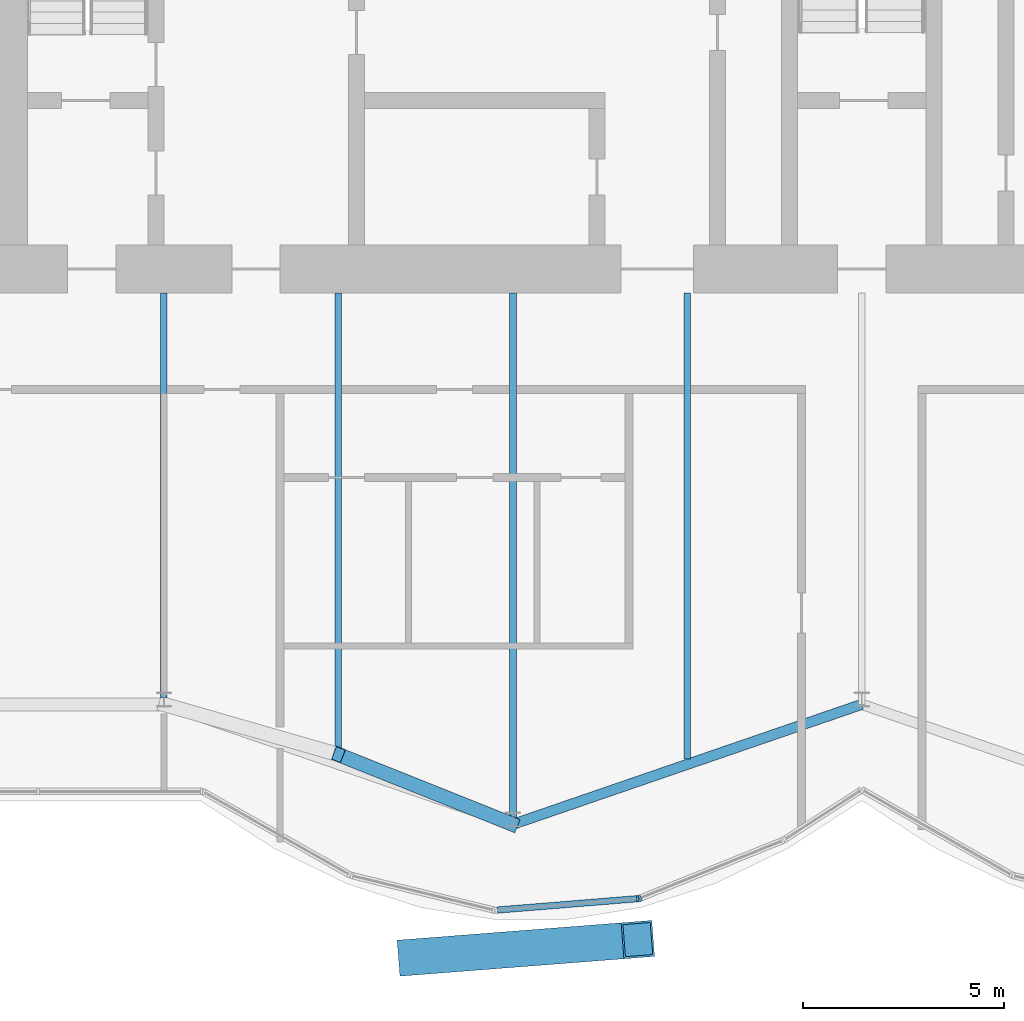
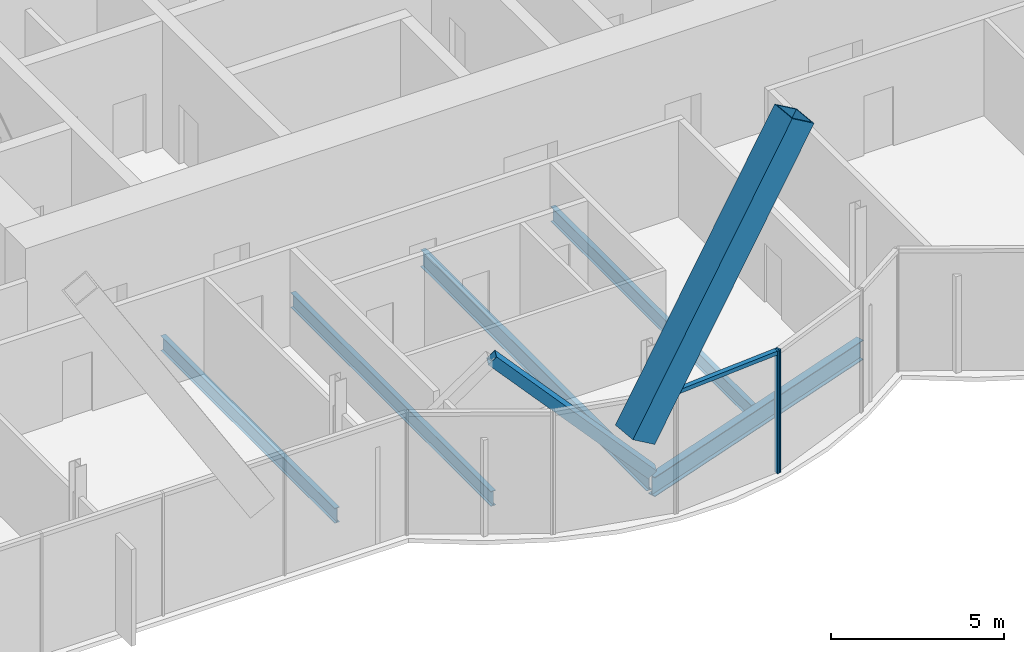
# One storey, part 6 of 19: 5 beams, 5 members, 1 element without a shape of its own.
"""IFC4 building model written with IfcOpenShell, lengths in metres."""

from ifc_helpers import new_model, si_unit, direction, frame, origin, origin_2d, place, context, subcontext, project, spatial, rectangle, hollow_rectangle, i_section, extrude, material, material_profile, profile_set, type_object, element, aggregate, save


model = new_model("IFC4")

# Units and contexts
model_context = context("Model", 3, precision=1e-05, world=origin(), true_north=direction((0.0, 1.0)))
body_context = subcontext(model_context, "Body", "Model", "MODEL_VIEW")
ifc_project = project(units=[si_unit("LENGTHUNIT", "METRE"), si_unit("AREAUNIT", "SQUARE_METRE"), si_unit("VOLUMEUNIT", "CUBIC_METRE"), si_unit("PLANEANGLEUNIT", "RADIAN"), si_unit("MASSUNIT", "GRAM", prefix="KILO")], contexts=[model_context])

# Site, building, storey
site_placement = place(None, origin())
site = spatial("IfcSite", under=ifc_project, at=site_placement, CompositionType="ELEMENT")
building_placement = place(site_placement, origin())
building = spatial("IfcBuilding", under=site, at=building_placement, Name="Bicima Exchange Tower", CompositionType="ELEMENT")
storey_placement = place(building_placement, frame((0.0, 0.0, 324.5)))
storey = spatial("IfcBuildingStorey", under=building, at=storey_placement, Name="L73", CompositionType="ELEMENT", Elevation=324.5)

# Member
ifc_material_1 = material(Name="Steel ASTM A572 Gr 50", Category="steel")
ifc_material_profile_1 = material_profile(ifc_material_1, hollow_rectangle(XDim=0.89990234375, YDim=0.89990234375, WallThickness=0.050048828125, at=origin_2d()))
ifc_profile_set_1 = profile_set([ifc_material_profile_1], Name="Steel ASTM A572 Gr 50")
member_type_1 = type_object("IfcMemberType", Name="Exo mega brace BOX 900x900x50", PredefinedType="BRACE", material=ifc_profile_set_1)
member_1_placement = place(storey_placement, frame((-11.166748046875, -29.551025390625, 4.166748046875), z_axis=(0.520816033823, 0.040490201493, 0.852708157869), x_axis=(-0.077509883507, 0.996991583695, 0.0)))
element("IfcMember", 1, at=member_1_placement, inside=storey, type_object=member_type_1, Name="Exo mega brace front", PredefinedType="BRACE", context=body_context, shape_type="SweptSolid", body=[
    extrude(hollow_rectangle(XDim=0.89990234375, YDim=0.89990234375, WallThickness=0.050048828125, at=origin_2d()), origin(), (0.0, 0.0, 1.0), 10.720703125),
])

# Beams
ifc_material_2 = material(Name="Steel ASTM A992 Gr 50", Category="steel")
ifc_material_profile_2 = material_profile(ifc_material_2, i_section(OverallWidth=0.165771484375, OverallDepth=0.5283203125, WebThickness=0.009765625, FlangeThickness=0.013671875, at=origin_2d()))
ifc_profile_set_2 = profile_set([ifc_material_profile_2], Name="Steel ASTM A992 Gr 50")
beam_type_1 = type_object("IfcBeamType", Name="Floor beam W21x50", PredefinedType="JOIST", material=ifc_profile_set_2)
beam_1_placement = place(storey_placement, frame((-17.39990234375, -13.0, -0.414306640625), z_axis=(0.0, -1.0, 0.0), x_axis=(1.0, 0.0, 0.0)))
element("IfcBeam", 2, at=beam_1_placement, inside=storey, type_object=beam_type_1, Name="Floor beam", PredefinedType="JOIST", context=body_context, shape_type="SweptSolid", body=[
    extrude(i_section(OverallWidth=0.165771484375, OverallDepth=0.5283203125, WebThickness=0.009765625, FlangeThickness=0.013671875, at=origin_2d()), origin(), (0.0, 0.0, 1.0), 10.08935546875),
])
for number, where, z_axis, x_axis, name in (
    (3, (-13.050048828125, -13.0, -0.414306640625), (0.0, -1.0, 0.0), (1.0, 0.0, 0.0), "Floor beam"),
    (4, (-4.35009765625, -13.0, -0.414306640625), (0.0, -1.0, 0.0), (1.0, 0.0, 0.0), "Floor beam"),
):
    element("IfcBeam", number, at=place(storey_placement, frame(where, z_axis=z_axis, x_axis=x_axis)), inside=storey, type_object=beam_type_1, Name=name, PredefinedType="JOIST", context=body_context, shape_type="SweptSolid", body=[
        extrude(i_section(OverallWidth=0.165771484375, OverallDepth=0.5283203125, WebThickness=0.009765625, FlangeThickness=0.013671875, at=origin_2d()), origin(), (0.0, 0.0, 1.0), 11.61181640625),
    ])
ifc_material_profile_3 = material_profile(ifc_material_2, i_section(OverallWidth=0.177978515625, OverallDepth=0.599365234375, WebThickness=0.010009765625, FlangeThickness=0.012939453125, at=origin_2d()))
ifc_profile_set_3 = profile_set([ifc_material_profile_3], Name="Steel ASTM A992 Gr 50")
beam_type_2 = type_object("IfcBeamType", Name="Floor beam W24x55", PredefinedType="JOIST", material=ifc_profile_set_3)
beam_2_placement = place(storey_placement, frame((-8.699951171875, -13.0, -0.44970703125), z_axis=(0.0, -1.0, 0.0), x_axis=(1.0, 0.0, 0.0)))
element("IfcBeam", 5, at=beam_2_placement, inside=storey, type_object=beam_type_2, Name="Floor beam", PredefinedType="JOIST", context=body_context, shape_type="SweptSolid", body=[
    extrude(i_section(OverallWidth=0.177978515625, OverallDepth=0.599365234375, WebThickness=0.010009765625, FlangeThickness=0.012939453125, at=origin_2d()), origin(), (0.0, 0.0, 1.0), 13.107421875),
])
ifc_material_profile_4 = material_profile(ifc_material_2, i_section(OverallWidth=0.256591796875, OverallDepth=0.693359375, WebThickness=0.014404296875, FlangeThickness=0.023681640625, at=origin_2d()))
ifc_profile_set_4 = profile_set([ifc_material_profile_4], Name="Steel ASTM A992 Gr 50")
beam_type_3 = type_object("IfcBeamType", Name="Front girder W27x114", PredefinedType="BEAM", material=ifc_profile_set_4)
beam_3_placement = place(storey_placement, frame((-8.699951171875, -26.2431640625, -0.49658203125), z_axis=(0.945666456746, 0.325138359143, 0.0), x_axis=(-0.325138359143, 0.945666456746, 0.0)))
element("IfcBeam", 6, at=beam_3_placement, inside=storey, type_object=beam_type_3, Name="Front girder", PredefinedType="BEAM", context=body_context, shape_type="SweptSolid", body=[
    extrude(i_section(OverallWidth=0.256591796875, OverallDepth=0.693359375, WebThickness=0.014404296875, FlangeThickness=0.023681640625, at=origin_2d()), origin(), (0.0, 0.0, 1.0), 9.19970703125),
])

# Curtain wall, members
ifc_material_3 = material(Name="Anodised bronze aluminium", Category="aluminium")
curtain_wall_type = type_object("IfcCurtainWallType", Name="Front glass wall", PredefinedType="NOTDEFINED", material=ifc_material_3)
curtain_wall_placement = place(storey_placement, origin())
curtain_wall = element("IfcCurtainWall", 7, at=curtain_wall_placement, inside=storey, type_object=curtain_wall_type, Name="Front glass wall L73 run 6", PredefinedType="NOTDEFINED")
ifc_material_profile_5 = material_profile(ifc_material_3, rectangle(XDim=0.159912109375, YDim=0.06005859375, at=origin_2d()))
ifc_profile_set_5 = profile_set([ifc_material_profile_5], Name="Anodised bronze aluminium")
member_type_2 = type_object("IfcMemberType", Name="Front glass wall mullion 60 x 160", PredefinedType="MULLION", material=ifc_profile_set_5)
member_2_placement = place(storey_placement, frame((-5.583984375, -28.0966796875, 0.0), z_axis=(0.0, 0.0, 1.0), x_axis=(-0.080588612633, 0.99674744821, 0.0)))
member_2 = element("IfcMember", 8, at=member_2_placement, type_object=member_type_2, Name="Front glass wall mullion 2", PredefinedType="MULLION", context=body_context, shape_type="SweptSolid", body=[
    extrude(rectangle(XDim=0.159912109375, YDim=0.06005859375, at=origin_2d()), origin(), (0.0, 0.0, 1.0), 4.35009765625),
])
member_3_placement = place(storey_placement, frame((-5.526123046875, -28.083251953125, 0.0), z_axis=(0.0, 0.0, 1.0), x_axis=(-0.374705304, 0.92714396679, 0.0)))
member_3 = element("IfcMember", 9, at=member_3_placement, type_object=member_type_2, Name="Front glass wall mullion 1", PredefinedType="MULLION", context=body_context, shape_type="SweptSolid", body=[
    extrude(rectangle(XDim=0.159912109375, YDim=0.06005859375, at=origin_2d()), origin(), (0.0, 0.0, 1.0), 4.35009765625),
])
ifc_material_profile_6 = material_profile(ifc_material_3, rectangle(XDim=0.159912109375, YDim=0.139892578125, at=origin_2d()))
ifc_profile_set_6 = profile_set([ifc_material_profile_6], Name="Anodised bronze aluminium")
member_type_3 = type_object("IfcMemberType", Name="Front glass wall transom 140 x 160", PredefinedType="USERDEFINED", material=ifc_profile_set_6)
member_4_placement = place(storey_placement, frame((-9.08837890625, -28.380126953125, 4.280029296875), z_axis=(0.9967456465, 0.080610893699, 0.0), x_axis=(-0.080610893699, 0.9967456465, 0.0)))
member_4 = element("IfcMember", 10, at=member_4_placement, type_object=member_type_3, Name="Front glass wall transom 1.1", ObjectType="TRANSOM", PredefinedType="USERDEFINED", context=body_context, shape_type="SweptSolid", body=[
    extrude(rectangle(XDim=0.159912109375, YDim=0.139892578125, at=origin_2d()), origin(), (0.0, 0.0, 1.0), 3.48583984375),
])
aggregate(curtain_wall, [member_2, member_4, member_3])

# Member
ifc_material_profile_7 = material_profile(ifc_material_1, hollow_rectangle(XDim=0.355712890625, YDim=0.355712890625, WallThickness=0.01171875, at=origin_2d()))
ifc_profile_set_7 = profile_set([ifc_material_profile_7], Name="Steel ASTM A572 Gr 50")
member_type_4 = type_object("IfcMemberType", Name="Mega brace HSS14x14x1/2", PredefinedType="BRACE", material=ifc_profile_set_7)
member_5_placement = place(storey_placement, frame((-8.699951171875, -26.2431640625, 0.0), z_axis=(-0.669641624162, 0.267811550891, 0.692717163349), x_axis=(-0.3713367687, -0.928498252132, 0.0)))
element("IfcMember", 11, at=member_5_placement, inside=storey, type_object=member_type_4, Name="Mega brace front", PredefinedType="BRACE", context=body_context, shape_type="SweptSolid", body=[
    extrude(hollow_rectangle(XDim=0.355712890625, YDim=0.355712890625, WallThickness=0.01171875, at=origin_2d()), origin(), (0.0, 0.0, 1.0), 6.49609375),
])

save(model, "model.ifc")
